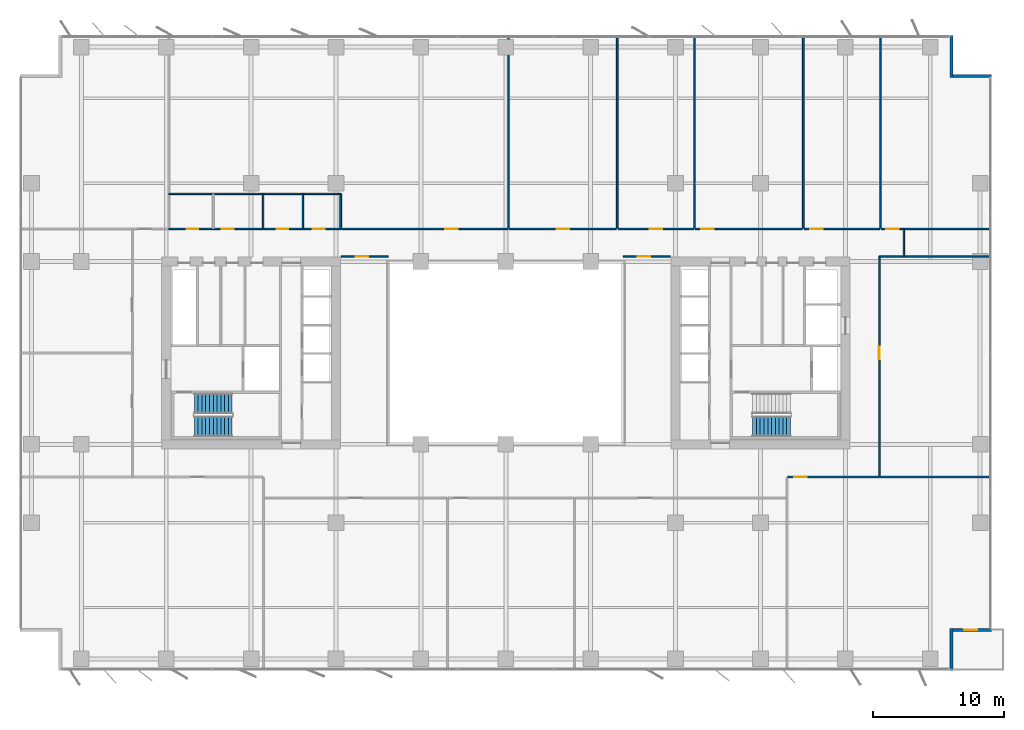
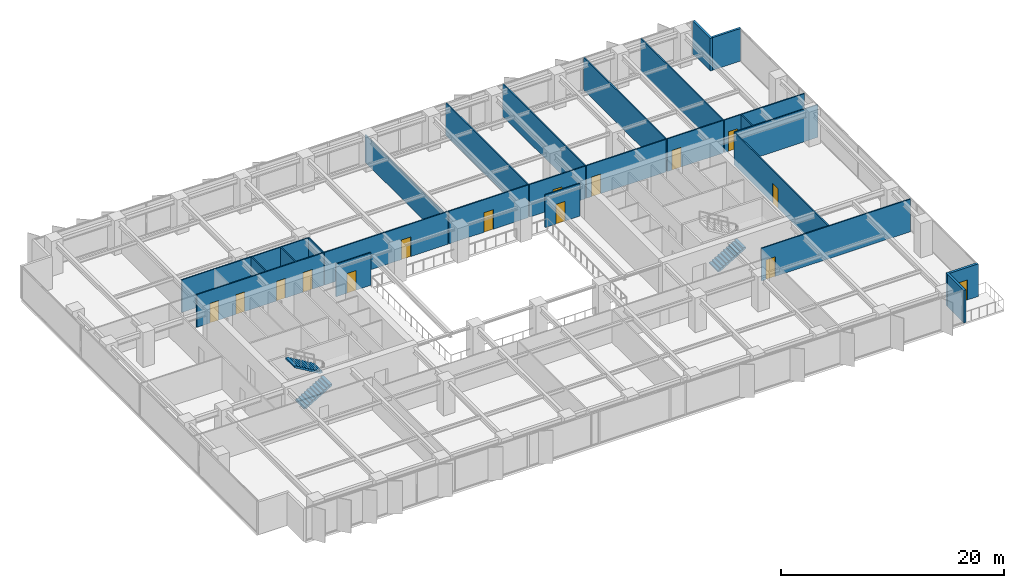
# One storey, part 15 of 20: 26 walls, 15 doors, 3 stair flights, 15 openings, 2 elements without a shape of their own.
"""IFC4 building model written with IfcOpenShell, lengths in metres."""

import ifcopenshell
import ifcopenshell.guid

model = None  # the IFC model being written
_history = None  # IfcOwnerHistory: only IFC2X3 demands one
_inside = {}  # id of a spatial element -> (the spatial element, [elements in it])
_under = {}  # id of a project, library or spatial element -> (it, [spatial elements below it])
_declared = {}  # id of a project -> (the project, [libraries it declares])
_typed = {}  # id of a type object -> (the type object, [elements of that type])
_made_of = {}  # id of a material, layer set ... -> (it, [elements and type objects made of it])


def new_model(schema):
    """Start an empty IFC model of exactly this schema.

    Asked for "IFC4X3", IfcOpenShell would pick the latest addendum, in which some entities
    have other attributes; the version numbers below select the first issue.
    IFC2X3 requires an IfcOwnerHistory on every rooted entity: one is made here for all.
    """
    global model, _history
    if schema == "IFC4X3":
        model = ifcopenshell.file(schema_version=(4, 3, 0, 0))
    else:
        model = ifcopenshell.file(schema=schema)
    _inside.clear()
    _under.clear()
    _declared.clear()
    _typed.clear()
    _made_of.clear()
    _history = None
    if model.schema == "IFC2X3":
        org = make("IfcOrganization", Name="unknown")
        user = make(
            "IfcPersonAndOrganization",
            ThePerson=make("IfcPerson", FamilyName="unknown"),
            TheOrganization=org,
        )
        app = make(
            "IfcApplication",
            ApplicationDeveloper=org,
            Version="unknown",
            ApplicationFullName="unknown",
            ApplicationIdentifier="unknown",
        )
        _history = make(
            "IfcOwnerHistory",
            OwningUser=user,
            OwningApplication=app,
            ChangeAction="ADDED",
            CreationDate=0,
        )
    return model


def make(cls, **values):
    """One entity of the class cls with the attributes given. An attribute that is None is left unset."""
    return model.create_entity(
        cls, **{name: value for name, value in values.items() if value is not None}
    )


def rooted(cls, **values):
    """An entity with a GlobalId (a new one), such as an element, a storey or a relation."""
    return make(cls, GlobalId=ifcopenshell.guid.new(), OwnerHistory=_history, **values)


def si_unit(unit_type, name, prefix=None):
    """IfcSIUnit, for example si_unit("LENGTHUNIT", "METRE", prefix="MILLI")."""
    return make("IfcSIUnit", UnitType=unit_type, Prefix=prefix, Name=name)


def assignment(units):
    """IfcUnitAssignment: the units of a project."""
    return None if units is None else make("IfcUnitAssignment", Units=units)


def point(xyz):
    """IfcCartesianPoint."""
    return None if xyz is None else make("IfcCartesianPoint", Coordinates=xyz)


def direction(xyz):
    """IfcDirection."""
    return None if xyz is None else make("IfcDirection", DirectionRatios=xyz)


def frame(location, z_axis=None, x_axis=None):
    """IfcAxis2Placement3D, a coordinate frame: its origin and axes. An axis left out is left unset."""
    return make(
        "IfcAxis2Placement3D",
        Location=point(location),
        Axis=direction(z_axis),
        RefDirection=direction(x_axis),
    )


def frame_2d(location, x_axis=None):
    """IfcAxis2Placement2D, a coordinate frame in the plane: its origin and x axis."""
    return make(
        "IfcAxis2Placement2D", Location=point(location), RefDirection=direction(x_axis)
    )


def origin():
    """The frame at (0, 0, 0) with its axes left unset."""
    return frame((0.0, 0.0, 0.0))


def place(relative_to, where):
    """IfcLocalPlacement: puts the frame where relative to a parent placement (None: the world)."""
    return make(
        "IfcLocalPlacement", PlacementRelTo=relative_to, RelativePlacement=where
    )


def context(
    kind, dimensions, precision=None, world=None, true_north=None, identifier=None
):
    """IfcGeometricRepresentationContext, for example the 3D "Model" context."""
    return make(
        "IfcGeometricRepresentationContext",
        ContextIdentifier=identifier,
        ContextType=kind,
        CoordinateSpaceDimension=dimensions,
        Precision=precision,
        WorldCoordinateSystem=world,
        TrueNorth=true_north,
    )


def subcontext(parent, identifier, kind, view, scale=None):
    """IfcGeometricRepresentationSubContext, for example "Body" below "Model"."""
    return make(
        "IfcGeometricRepresentationSubContext",
        ContextIdentifier=identifier,
        ContextType=kind,
        ParentContext=parent,
        TargetScale=scale,
        TargetView=view,
    )


def project(units=None, contexts=None):
    """IfcProject with its units and contexts."""
    return rooted(
        "IfcProject",
        Name="project",
        RepresentationContexts=contexts,
        UnitsInContext=assignment(units),
    )


def spatial(cls, under=None, at=None, **own):
    """A site, building, storey or space (cls), placed at a placement, below another one or the project."""
    s = rooted(cls, ObjectPlacement=at, **own)
    if under is not None:
        _under.setdefault(under.id(), (under, []))[1].append(s)
    return s


def polyline(points):
    """IfcPolyline through the points."""
    return make("IfcPolyline", Points=[point(p) for p in points])


def profile(cls, at=None, kind="AREA", **sizes):
    """A parametric profile (cls). Its sizes go by their IFC names, for example OverallWidth=200.0."""
    return make(cls, ProfileType=kind, Position=at, **sizes)


def rectangle(**sizes):
    """IfcRectangleProfileDef."""
    return profile("IfcRectangleProfileDef", **sizes)


def outline(outer, holes=None, kind="AREA"):
    """IfcArbitraryClosedProfileDef: a profile drawn as a closed curve; with holes, ...WithVoids."""
    if holes is None:
        return make("IfcArbitraryClosedProfileDef", ProfileType=kind, OuterCurve=outer)
    return make(
        "IfcArbitraryProfileDefWithVoids",
        ProfileType=kind,
        OuterCurve=outer,
        InnerCurves=holes,
    )


def extrude(swept, where, along, depth):
    """IfcExtrudedAreaSolid: the profile swept, set in the frame where, extruded along a direction by depth."""
    return make(
        "IfcExtrudedAreaSolid",
        SweptArea=swept,
        Position=where,
        ExtrudedDirection=direction(along),
        Depth=depth,
    )


def shape(context_of_items, identifier, shape_type, items):
    """IfcShapeRepresentation: the items that make up one representation, for example the "Body"."""
    return make(
        "IfcShapeRepresentation",
        ContextOfItems=context_of_items,
        RepresentationIdentifier=identifier,
        RepresentationType=shape_type,
        Items=items,
    )


def material(Name=None, Category=None):
    """IfcMaterial."""
    return make("IfcMaterial", Name=Name, Category=Category)


def layer(
    of_material, thickness, ventilated=None, Name=None, Category=None, Priority=None
):
    """IfcMaterialLayer: one layer of a wall or slab, of a material (None: an air gap)."""
    return make(
        "IfcMaterialLayer",
        Material=of_material,
        LayerThickness=thickness,
        IsVentilated=ventilated,
        Name=Name,
        Category=Category,
        Priority=Priority,
    )


def layer_set(layers, Name=None):
    """IfcMaterialLayerSet."""
    return make("IfcMaterialLayerSet", MaterialLayers=layers, LayerSetName=Name)


def made_of(thing, what):
    """Note that an element or type object is made of a material, layer set ...; save() writes the relation."""
    if what is not None:
        _made_of.setdefault(what.id(), (what, []))[1].append(thing)
    return thing


def type_object(cls, material=None, **own):
    """A type object (cls), such as IfcWallType, which elements share."""
    return made_of(rooted(cls, **own), material)


def element(
    cls,
    number,
    at=None,
    inside=None,
    cuts=None,
    type_object=None,
    material=None,
    context=None,
    identifier="Body",
    shape_type=None,
    held_by="IfcProductDefinitionShape",
    body=None,
    shapes=None,
    **own,
):
    """One element of the class cls, such as IfcWall. Its Tag is "e" and its number.

    at: its placement. inside: the storey or other place that contains it. cuts: it is an
    opening in that element (IfcRelVoidsElement). A single representation is given by context,
    identifier, shape_type and body (its items); several are given by shapes. held_by: the class
    of the entity that holds the representations. save() writes the other relations.
    """
    e = rooted(cls, Tag="e%d" % number, ObjectPlacement=at, **own)
    if body is not None:
        shapes = [shape(context, identifier, shape_type, body)]
    if shapes is not None:
        e.Representation = make(held_by, Representations=shapes)
    if inside is not None:
        _inside.setdefault(inside.id(), (inside, []))[1].append(e)
    if cuts is not None:
        rooted(
            "IfcRelVoidsElement", RelatingBuildingElement=cuts, RelatedOpeningElement=e
        )
    if type_object is not None:
        _typed.setdefault(type_object.id(), (type_object, []))[1].append(e)
    return made_of(e, material)


def fill(opening, filler):
    """IfcRelFillsElement: the door or window that sits in an opening."""
    return rooted(
        "IfcRelFillsElement",
        RelatingOpeningElement=opening,
        RelatedBuildingElement=filler,
    )


def aggregate(whole, parts):
    """IfcRelAggregates: a whole, such as a stair, and the parts it consists of."""
    return rooted("IfcRelAggregates", RelatingObject=whole, RelatedObjects=parts)


def save(model, path):
    """Write the relations noted so far, then the file.

    IfcRelAggregates (storeys below a building ...), IfcRelContainedInSpatialStructure (elements
    in a storey), IfcRelDefinesByType, IfcRelAssociatesMaterial and IfcRelDeclares: one each for
    every whole, place, type object, material and project.
    """
    for whole, parts in _under.values():
        aggregate(whole, parts)
    for where, things in _inside.values():
        rooted(
            "IfcRelContainedInSpatialStructure",
            RelatedElements=things,
            RelatingStructure=where,
        )
    for kind, things in _typed.values():
        rooted("IfcRelDefinesByType", RelatedObjects=things, RelatingType=kind)
    for what, things in _made_of.values():
        rooted("IfcRelAssociatesMaterial", RelatedObjects=things, RelatingMaterial=what)
    for by, libraries in _declared.values():
        rooted("IfcRelDeclares", RelatingContext=by, RelatedDefinitions=libraries)
    model.write(path)


model = new_model("IFC4")

# Units and contexts
model_context = context("Model", 3, precision=1e-05, world=origin(), true_north=direction((0.0, 1.0)))
body_context = subcontext(model_context, "Body", "Model", "MODEL_VIEW")
ifc_project = project(units=[si_unit("LENGTHUNIT", "METRE"), si_unit("AREAUNIT", "SQUARE_METRE"), si_unit("VOLUMEUNIT", "CUBIC_METRE"), si_unit("PLANEANGLEUNIT", "RADIAN"), si_unit("MASSUNIT", "GRAM", prefix="KILO")], contexts=[model_context])

# Site, building, storey
site_placement = place(None, origin())
site = spatial("IfcSite", under=ifc_project, at=site_placement, CompositionType="ELEMENT")
building_placement = place(site_placement, origin())
building = spatial("IfcBuilding", under=site, at=building_placement, Name="Putna Gate Headquarters", CompositionType="ELEMENT")
storey_placement = place(building_placement, frame((0.0, 0.0, 112.60009765625)))
storey = spatial("IfcBuildingStorey", under=building, at=storey_placement, Name="L27", CompositionType="ELEMENT", Elevation=112.60009765625)

# Walls
ifc_material_1 = material(Name="Precast concrete C40/50", Category="concrete")
ifc_layer_1 = layer(ifc_material_1, 0.239990234375)
ifc_layer_set_1 = layer_set([ifc_layer_1], Name="Precast concrete C40/50")
wall_type_1 = type_object("IfcWallType", Name="WALL-EXT-TERR-240", PredefinedType="STANDARD", material=ifc_layer_set_1)
for number, where, z_axis, x_axis, name in (
    (1, (73.1201171875, 50.300048828125, 0.0), (0.0, 0.0, 1.0), (0.0, -1.0, 0.0), "L27 Corner Notch Return Wall NE-V"),
    (2, (73.0, 47.219970703125, 0.0), (0.0, 0.0, 1.0), (1.0, 0.0, 0.0), "L27 Corner Notch Return Wall NE-H"),
    (3, (73.1201171875, 4.89990234375, 0.0), (0.0, 0.0, 1.0), (0.0, -1.0, 0.0), "L27 Corner Notch Return Wall SE-V"),
):
    element("IfcWall", number, at=place(storey_placement, frame(where, z_axis=z_axis, x_axis=x_axis)), inside=storey, type_object=wall_type_1, Name=name, PredefinedType="STANDARD", context=body_context, shape_type="SweptSolid", body=[
        extrude(rectangle(XDim=3.199951171875, YDim=0.239990234375, at=frame_2d((1.60009765625, 0.0))), origin(), (0.0, 0.0, 1.0), 3.56494140625),
    ])

# Wall, opening, door
wall_1_placement = place(storey_placement, frame((76.199951171875, 4.780029296875, 0.0), z_axis=(0.0, 0.0, 1.0), x_axis=(-1.0, 0.0, 0.0)))
wall_1 = element("IfcWall", 4, at=wall_1_placement, inside=storey, type_object=wall_type_1, Name="L27 Corner Notch Return Wall SE-H", PredefinedType="STANDARD", context=body_context, shape_type="SweptSolid", body=[
    extrude(rectangle(XDim=3.199951171875, YDim=0.239990234375, at=frame_2d((1.60009765625, 0.0))), origin(), (0.0, 0.0, 1.0), 3.56494140625),
])
opening_1_placement = place(wall_1_placement, frame((1.10009765625, 0.0, 0.0)))
opening_1 = element("IfcOpeningElement", 5, at=opening_1_placement, cuts=wall_1, Name="Opening TRD-1", PredefinedType="OPENING", context=body_context, shape_type="SweptSolid", body=[
    extrude(rectangle(XDim=1.0, YDim=2.199951171875, at=frame_2d((0.5, 1.10009765625))), frame((0.0, 0.1298828125, 0.0), z_axis=(0.0, -1.0, 0.0), x_axis=(1.0, 0.0, 0.0)), (0.0, 0.0, 1.0), 0.260009765625),
])
ifc_material_2 = material(Name="Thermally broken bronze glazed terrace door")
door_type_1 = type_object("IfcDoorType", Name="DOOR-TERR-EXT-1000", OperationType="NOTDEFINED", PredefinedType="DOOR", material=ifc_material_2)
door_1_placement = place(opening_1_placement, origin())
door_1 = element("IfcDoor", 6, at=door_1_placement, inside=storey, type_object=door_type_1, Name="L27 Spiral Sky Terrace Door SE", OperationType="SINGLE_SWING_RIGHT", OverallHeight=2.199951171875, OverallWidth=1.0, PredefinedType="DOOR", context=body_context, shape_type="SweptSolid", body=[
    extrude(rectangle(XDim=1.0, YDim=2.199951171875, at=frame_2d((0.5, 1.10009765625))), frame((0.0, 0.02490234375, 0.0), z_axis=(0.0, -1.0, 0.0), x_axis=(1.0, 0.0, 0.0)), (0.0, 0.0, 1.0), 0.050048828125),
])
fill(opening_1, door_1)

ifc_material_3 = material(Name="Acoustic gypsum board on metal stud")
ifc_layer_2 = layer(ifc_material_3, 0.1201171875)
ifc_layer_set_2 = layer_set([ifc_layer_2], Name="Acoustic gypsum board on metal stud")
wall_type_2 = type_object("IfcWallType", Name="WALL-PART-120", PredefinedType="PARTITIONING", material=ifc_layer_set_2)
wall_2_placement = place(storey_placement, frame((26.39990234375, 33.39990234375, 0.0), z_axis=(0.0, 0.0, 1.0), x_axis=(1.0, 0.0, 0.0)))
wall_2 = element("IfcWall", 7, at=wall_2_placement, inside=storey, type_object=wall_type_2, Name="L27 Interior Wall PART-L27-ATR-W-N", PredefinedType="PARTITIONING", context=body_context, shape_type="SweptSolid", body=[
    extrude(rectangle(XDim=3.60009765625, YDim=0.1201171875, at=frame_2d((1.800048828125, 0.0))), origin(), (0.0, 0.0, 1.0), 3.56494140625),
])
opening_2_placement = place(wall_2_placement, frame((1.10009765625, 0.0, 0.0)))
opening_2 = element("IfcOpeningElement", 8, at=opening_2_placement, cuts=wall_2, Name="Opening ID-95", PredefinedType="OPENING", context=body_context, shape_type="SweptSolid", body=[
    extrude(rectangle(XDim=0.949951171875, YDim=2.14990234375, at=frame_2d((0.47509765625, 1.074951171875))), frame((0.0, 0.070068359375, 0.0), z_axis=(0.0, -1.0, 0.0), x_axis=(1.0, 0.0, 0.0)), (0.0, 0.0, 1.0), 0.14013671875),
])
ifc_material_4 = material(Name="Veneered acoustic timber door", Category="wood")
door_type_2 = type_object("IfcDoorType", Name="DOOR-OFF-950", OperationType="NOTDEFINED", PredefinedType="DOOR", material=ifc_material_4)
door_2_placement = place(opening_2_placement, origin())
door_2 = element("IfcDoor", 9, at=door_2_placement, inside=storey, type_object=door_type_2, Name="L27 West Atrium Lounge Door", OperationType="SINGLE_SWING_LEFT", OverallHeight=2.14990234375, OverallWidth=0.949951171875, PredefinedType="DOOR", context=body_context, shape_type="SweptSolid", body=[
    extrude(rectangle(XDim=0.949951171875, YDim=2.14990234375, at=frame_2d((0.47509765625, 1.074951171875))), frame((0.0, 0.02490234375, 0.0), z_axis=(0.0, -1.0, 0.0), x_axis=(1.0, 0.0, 0.0)), (0.0, 0.0, 1.0), 0.050048828125),
])
fill(opening_2, door_2)

wall_3_placement = place(storey_placement, frame((48.0, 33.39990234375, 0.0), z_axis=(0.0, 0.0, 1.0), x_axis=(1.0, 0.0, 0.0)))
wall_3 = element("IfcWall", 10, at=wall_3_placement, inside=storey, type_object=wall_type_2, Name="L27 Interior Wall PART-L27-ATR-E-N", PredefinedType="PARTITIONING", context=body_context, shape_type="SweptSolid", body=[
    extrude(rectangle(XDim=3.60009765625, YDim=0.1201171875, at=frame_2d((1.800048828125, 0.0))), origin(), (0.0, 0.0, 1.0), 3.56494140625),
])
opening_3_placement = place(wall_3_placement, frame((1.10009765625, 0.0, 0.0)))
opening_3 = element("IfcOpeningElement", 11, at=opening_3_placement, cuts=wall_3, Name="Opening ID-95", PredefinedType="OPENING", context=body_context, shape_type="SweptSolid", body=[
    extrude(rectangle(XDim=0.949951171875, YDim=2.14990234375, at=frame_2d((0.47509765625, 1.074951171875))), frame((0.0, 0.070068359375, 0.0), z_axis=(0.0, -1.0, 0.0), x_axis=(1.0, 0.0, 0.0)), (0.0, 0.0, 1.0), 0.14013671875),
])
door_3_placement = place(opening_3_placement, origin())
door_3 = element("IfcDoor", 12, at=door_3_placement, inside=storey, type_object=door_type_2, Name="L27 East Atrium Lounge Door", OperationType="SINGLE_SWING_RIGHT", OverallHeight=2.14990234375, OverallWidth=0.949951171875, PredefinedType="DOOR", context=body_context, shape_type="SweptSolid", body=[
    extrude(rectangle(XDim=0.949951171875, YDim=2.14990234375, at=frame_2d((0.47509765625, 1.074951171875))), frame((0.0, 0.02490234375, 0.0), z_axis=(0.0, -1.0, 0.0), x_axis=(1.0, 0.0, 0.0)), (0.0, 0.0, 1.0), 0.050048828125),
])
fill(opening_3, door_3)

# Walls
wall_4_placement = place(storey_placement, frame((39.199951171875, 35.56005859375, 0.0), z_axis=(0.0, 0.0, 1.0), x_axis=(0.0, 1.0, 0.0)))
element("IfcWall", 13, at=wall_4_placement, inside=storey, type_object=wall_type_2, Name="L27 Interior Wall PART-L27-NB-DIV-02", PredefinedType="PARTITIONING", context=body_context, shape_type="SweptSolid", body=[
    extrude(rectangle(XDim=14.719970703125, YDim=0.1201171875, at=frame_2d((7.35986328125, 0.0))), origin(), (0.0, 0.0, 1.0), 2.96484375),
])
for number, where, z_axis, x_axis, name in (
    (14, (47.53662109375, 35.56005859375, 0.0), (0.0, 0.0, 1.0), (0.0, 1.0, 0.0), "L27 Interior Wall PART-L27-NB-DIV-03"),
    (15, (53.441650390625, 35.56005859375, 0.0), (0.0, 0.0, 1.0), (0.0, 1.0, 0.0), "L27 Interior Wall PART-L27-NB-DIV-04"),
    (16, (61.7783203125, 35.56005859375, 0.0), (0.0, 0.0, 1.0), (0.0, 1.0, 0.0), "L27 Interior Wall PART-L27-NB-DIV-05"),
    (17, (67.683349609375, 35.56005859375, 0.0), (0.0, 0.0, 1.0), (0.0, 1.0, 0.0), "L27 Interior Wall PART-L27-NB-DIV-06"),
):
    element("IfcWall", number, at=place(storey_placement, frame(where, z_axis=z_axis, x_axis=x_axis)), inside=storey, type_object=wall_type_2, Name=name, PredefinedType="PARTITIONING", context=body_context, shape_type="SweptSolid", body=[
        extrude(rectangle(XDim=14.719970703125, YDim=0.1201171875, at=frame_2d((7.35986328125, 0.0))), origin(), (0.0, 0.0, 1.0), 3.56494140625),
    ])
ifc_material_5 = material(Name="Fire-rated gypsum board on metal stud")
ifc_layer_3 = layer(ifc_material_5, 0.1201171875)
ifc_layer_set_3 = layer_set([ifc_layer_3], Name="Fire-rated gypsum board on metal stud")
wall_type_3 = type_object("IfcWallType", Name="WALL-PART-120-RATED", PredefinedType="PARTITIONING", material=ifc_layer_set_3)
wall_5_placement = place(storey_placement, frame((69.4833984375, 33.39990234375, 0.0), z_axis=(0.0, 0.0, 1.0), x_axis=(0.0, 1.0, 0.0)))
element("IfcWall", 18, at=wall_5_placement, inside=storey, type_object=wall_type_3, Name="L27 Interior Wall PART-L27-CORRN-CAPE", PredefinedType="PARTITIONING", context=body_context, shape_type="SweptSolid", body=[
    extrude(rectangle(XDim=2.10009765625, YDim=0.1201171875, at=frame_2d((1.050048828125, 0.0))), origin(), (0.0, 0.0, 1.0), 3.56494140625),
])

# Wall, openings, doors
wall_6_placement = place(storey_placement, frame((13.199951171875, 35.5, 0.0), z_axis=(0.0, 0.0, 1.0), x_axis=(1.0, 0.0, 0.0)))
wall_6 = element("IfcWall", 19, at=wall_6_placement, inside=storey, type_object=wall_type_3, Name="L27 Interior Wall PART-L27-SAN-CW", PredefinedType="PARTITIONING", context=body_context, shape_type="SweptSolid", body=[
    extrude(rectangle(XDim=13.16015625, YDim=0.1201171875, at=frame_2d((6.580078125, 0.0))), origin(), (0.0, 0.0, 1.0), 3.56494140625),
])
opening_4_placement = place(wall_6_placement, frame((1.35009765625, 0.0, 0.0)))
opening_4 = element("IfcOpeningElement", 20, at=opening_4_placement, cuts=wall_6, Name="Opening FD-90", PredefinedType="OPENING", context=body_context, shape_type="SweptSolid", body=[
    extrude(rectangle(XDim=0.89990234375, YDim=2.14990234375, at=frame_2d((0.449951171875, 1.074951171875))), frame((0.0, 0.070068359375, 0.0), z_axis=(0.0, -1.0, 0.0), x_axis=(1.0, 0.0, 0.0)), (0.0, 0.0, 1.0), 0.14013671875),
])
opening_5_placement = place(wall_6_placement, frame((4.050048828125, 0.0, 0.0)))
opening_5 = element("IfcOpeningElement", 21, at=opening_5_placement, cuts=wall_6, Name="Opening FD-90", PredefinedType="OPENING", context=body_context, shape_type="SweptSolid", body=[
    extrude(rectangle(XDim=0.89990234375, YDim=2.14990234375, at=frame_2d((0.449951171875, 1.074951171875))), frame((0.0, 0.070068359375, 0.0), z_axis=(0.0, -1.0, 0.0), x_axis=(1.0, 0.0, 0.0)), (0.0, 0.0, 1.0), 0.14013671875),
])
opening_6_placement = place(wall_6_placement, frame((8.25, 0.0, 0.0)))
opening_6 = element("IfcOpeningElement", 22, at=opening_6_placement, cuts=wall_6, Name="Opening FD-90", PredefinedType="OPENING", context=body_context, shape_type="SweptSolid", body=[
    extrude(rectangle(XDim=0.89990234375, YDim=2.14990234375, at=frame_2d((0.449951171875, 1.074951171875))), frame((0.0, 0.070068359375, 0.0), z_axis=(0.0, -1.0, 0.0), x_axis=(1.0, 0.0, 0.0)), (0.0, 0.0, 1.0), 0.14013671875),
])
opening_7_placement = place(wall_6_placement, frame((11.0, 0.0, 0.0)))
opening_7 = element("IfcOpeningElement", 23, at=opening_7_placement, cuts=wall_6, Name="Opening FD-95", PredefinedType="OPENING", context=body_context, shape_type="SweptSolid", body=[
    extrude(rectangle(XDim=0.949951171875, YDim=2.14990234375, at=frame_2d((0.47509765625, 1.074951171875))), frame((0.0, 0.070068359375, 0.0), z_axis=(0.0, -1.0, 0.0), x_axis=(1.0, 0.0, 0.0)), (0.0, 0.0, 1.0), 0.14013671875),
])
ifc_material_6 = material(Name="Acoustic washroom fire door")
door_type_3 = type_object("IfcDoorType", Name="DOOR-FIRE-900", OperationType="NOTDEFINED", PredefinedType="DOOR", material=ifc_material_6)
door_4_placement = place(opening_4_placement, origin())
door_4 = element("IfcDoor", 24, at=door_4_placement, inside=storey, type_object=door_type_3, Name="L27 Washroom Male Door", OperationType="SINGLE_SWING_LEFT", OverallHeight=2.14990234375, OverallWidth=0.89990234375, PredefinedType="DOOR", context=body_context, shape_type="SweptSolid", body=[
    extrude(rectangle(XDim=0.89990234375, YDim=2.14990234375, at=frame_2d((0.449951171875, 1.074951171875))), frame((0.0, 0.02490234375, 0.0), z_axis=(0.0, -1.0, 0.0), x_axis=(1.0, 0.0, 0.0)), (0.0, 0.0, 1.0), 0.050048828125),
])
fill(opening_4, door_4)
door_5_placement = place(opening_5_placement, origin())
door_5 = element("IfcDoor", 25, at=door_5_placement, inside=storey, type_object=door_type_3, Name="L27 Washroom Female Door", OperationType="SINGLE_SWING_RIGHT", OverallHeight=2.14990234375, OverallWidth=0.89990234375, PredefinedType="DOOR", context=body_context, shape_type="SweptSolid", body=[
    extrude(rectangle(XDim=0.89990234375, YDim=2.14990234375, at=frame_2d((0.449951171875, 1.074951171875))), frame((0.0, 0.02490234375, 0.0), z_axis=(0.0, -1.0, 0.0), x_axis=(1.0, 0.0, 0.0)), (0.0, 0.0, 1.0), 0.050048828125),
])
fill(opening_5, door_5)
door_6_placement = place(opening_6_placement, origin())
door_6 = element("IfcDoor", 26, at=door_6_placement, inside=storey, type_object=door_type_3, Name="L27 Accessible WC Door", OperationType="SINGLE_SWING_LEFT", OverallHeight=2.14990234375, OverallWidth=0.89990234375, PredefinedType="DOOR", context=body_context, shape_type="SweptSolid", body=[
    extrude(rectangle(XDim=0.89990234375, YDim=2.14990234375, at=frame_2d((0.449951171875, 1.074951171875))), frame((0.0, 0.02490234375, 0.0), z_axis=(0.0, -1.0, 0.0), x_axis=(1.0, 0.0, 0.0)), (0.0, 0.0, 1.0), 0.050048828125),
])
fill(opening_6, door_6)
ifc_material_7 = material(Name="Acoustic timber fire door", Category="wood")
door_type_4 = type_object("IfcDoorType", Name="DOOR-FIRE-950", OperationType="NOTDEFINED", PredefinedType="DOOR", material=ifc_material_7)
door_7_placement = place(opening_7_placement, origin())
door_7 = element("IfcDoor", 27, at=door_7_placement, inside=storey, type_object=door_type_4, Name="L27 Staff Pantry and Tea Point Door", OperationType="SINGLE_SWING_RIGHT", OverallHeight=2.14990234375, OverallWidth=0.949951171875, PredefinedType="DOOR", context=body_context, shape_type="SweptSolid", body=[
    extrude(rectangle(XDim=0.949951171875, YDim=2.14990234375, at=frame_2d((0.47509765625, 1.074951171875))), frame((0.0, 0.02490234375, 0.0), z_axis=(0.0, -1.0, 0.0), x_axis=(1.0, 0.0, 0.0)), (0.0, 0.0, 1.0), 0.050048828125),
])
fill(opening_7, door_7)

# Walls
wall_7_placement = place(storey_placement, frame((13.199951171875, 38.179931640625, 0.0), z_axis=(0.0, 0.0, 1.0), x_axis=(1.0, 0.0, 0.0)))
element("IfcWall", 28, at=wall_7_placement, inside=storey, type_object=wall_type_3, Name="L27 Interior Wall PART-L27-SAN-BACK", PredefinedType="PARTITIONING", context=body_context, shape_type="SweptSolid", body=[
    extrude(rectangle(XDim=13.16015625, YDim=0.1201171875, at=frame_2d((6.580078125, 0.0))), origin(), (0.0, 0.0, 1.0), 3.56494140625),
])
for number, where, z_axis, x_axis, name in (
    (29, (20.419921875, 35.5, 0.0), (0.0, 0.0, 1.0), (0.0, 1.0, 0.0), "L27 Interior Wall PART-L27-SAN-DIV-2"),
    (30, (23.4599609375, 35.5, 0.0), (0.0, 0.0, 1.0), (0.0, 1.0, 0.0), "L27 Interior Wall PART-L27-SAN-DIV-3"),
    (31, (26.360107421875, 35.5, 0.0), (0.0, 0.0, 1.0), (0.0, 1.0, 0.0), "L27 Interior Wall PART-L27-SAN-DIV-4"),
):
    element("IfcWall", number, at=place(storey_placement, frame(where, z_axis=z_axis, x_axis=x_axis)), inside=storey, type_object=wall_type_3, Name=name, PredefinedType="PARTITIONING", context=body_context, shape_type="SweptSolid", body=[
        extrude(rectangle(XDim=2.679931640625, YDim=0.1201171875, at=frame_2d((1.33984375, 0.0))), origin(), (0.0, 0.0, 1.0), 3.56494140625),
    ])

# Wall, opening, door
wall_8_placement = place(storey_placement, frame((26.419921875, 35.5, 0.0), z_axis=(0.0, 0.0, 1.0), x_axis=(1.0, 0.0, 0.0)))
wall_8 = element("IfcWall", 32, at=wall_8_placement, inside=storey, type_object=wall_type_3, Name="L27 Interior Wall PART-L27-NB-CW-02", PredefinedType="PARTITIONING", context=body_context, shape_type="SweptSolid", body=[
    extrude(rectangle(XDim=12.719970703125, YDim=0.1201171875, at=frame_2d((6.35986328125, 0.0))), origin(), (0.0, 0.0, 1.0), 3.56494140625),
])
opening_8_placement = place(wall_8_placement, frame((7.9541015625, 0.0, 0.0)))
opening_8 = element("IfcOpeningElement", 33, at=opening_8_placement, cuts=wall_8, Name="Opening FD-95", PredefinedType="OPENING", context=body_context, shape_type="SweptSolid", body=[
    extrude(rectangle(XDim=0.949951171875, YDim=2.14990234375, at=frame_2d((0.47509765625, 1.074951171875))), frame((0.0, 0.070068359375, 0.0), z_axis=(0.0, -1.0, 0.0), x_axis=(1.0, 0.0, 0.0)), (0.0, 0.0, 1.0), 0.14013671875),
])
door_8_placement = place(opening_8_placement, origin())
door_8 = element("IfcDoor", 34, at=door_8_placement, inside=storey, type_object=door_type_4, Name="L27 Primary Open Office Workplace Door", OperationType="SINGLE_SWING_RIGHT", OverallHeight=2.14990234375, OverallWidth=0.949951171875, PredefinedType="DOOR", context=body_context, shape_type="SweptSolid", body=[
    extrude(rectangle(XDim=0.949951171875, YDim=2.14990234375, at=frame_2d((0.47509765625, 1.074951171875))), frame((0.0, 0.02490234375, 0.0), z_axis=(0.0, -1.0, 0.0), x_axis=(1.0, 0.0, 0.0)), (0.0, 0.0, 1.0), 0.050048828125),
])
fill(opening_8, door_8)

wall_9_placement = place(storey_placement, frame((39.260009765625, 35.5, 0.0), z_axis=(0.0, 0.0, 1.0), x_axis=(1.0, 0.0, 0.0)))
wall_9 = element("IfcWall", 35, at=wall_9_placement, inside=storey, type_object=wall_type_3, Name="L27 Interior Wall PART-L27-NB-CW-03", PredefinedType="PARTITIONING", context=body_context, shape_type="SweptSolid", body=[
    extrude(rectangle(XDim=8.216552734375, YDim=0.1201171875, at=frame_2d((4.1083984375, 0.0))), origin(), (0.0, 0.0, 1.0), 3.56494140625),
])
opening_9_placement = place(wall_9_placement, frame((3.63330078125, 0.0, 0.0)))
opening_9 = element("IfcOpeningElement", 36, at=opening_9_placement, cuts=wall_9, Name="Opening FD-95", PredefinedType="OPENING", context=body_context, shape_type="SweptSolid", body=[
    extrude(rectangle(XDim=0.949951171875, YDim=2.14990234375, at=frame_2d((0.47509765625, 1.074951171875))), frame((0.0, 0.070068359375, 0.0), z_axis=(0.0, -1.0, 0.0), x_axis=(1.0, 0.0, 0.0)), (0.0, 0.0, 1.0), 0.14013671875),
])
door_9_placement = place(opening_9_placement, origin())
door_9 = element("IfcDoor", 37, at=door_9_placement, inside=storey, type_object=door_type_4, Name="L27 Cellular Office 4 Door", OperationType="SINGLE_SWING_LEFT", OverallHeight=2.14990234375, OverallWidth=0.949951171875, PredefinedType="DOOR", context=body_context, shape_type="SweptSolid", body=[
    extrude(rectangle(XDim=0.949951171875, YDim=2.14990234375, at=frame_2d((0.47509765625, 1.074951171875))), frame((0.0, 0.02490234375, 0.0), z_axis=(0.0, -1.0, 0.0), x_axis=(1.0, 0.0, 0.0)), (0.0, 0.0, 1.0), 0.050048828125),
])
fill(opening_9, door_9)

wall_10_placement = place(storey_placement, frame((47.5966796875, 35.5, 0.0), z_axis=(0.0, 0.0, 1.0), x_axis=(1.0, 0.0, 0.0)))
wall_10 = element("IfcWall", 38, at=wall_10_placement, inside=storey, type_object=wall_type_3, Name="L27 Interior Wall PART-L27-NB-CW-04", PredefinedType="PARTITIONING", context=body_context, shape_type="SweptSolid", body=[
    extrude(rectangle(XDim=5.784912109375, YDim=0.1201171875, at=frame_2d((2.892578125, 0.0))), origin(), (0.0, 0.0, 1.0), 3.56494140625),
])
opening_10_placement = place(wall_10_placement, frame((2.41748046875, 0.0, 0.0)))
opening_10 = element("IfcOpeningElement", 39, at=opening_10_placement, cuts=wall_10, Name="Opening FD-95", PredefinedType="OPENING", context=body_context, shape_type="SweptSolid", body=[
    extrude(rectangle(XDim=0.949951171875, YDim=2.14990234375, at=frame_2d((0.47509765625, 1.074951171875))), frame((0.0, 0.070068359375, 0.0), z_axis=(0.0, -1.0, 0.0), x_axis=(1.0, 0.0, 0.0)), (0.0, 0.0, 1.0), 0.14013671875),
])
door_10_placement = place(opening_10_placement, origin())
door_10 = element("IfcDoor", 40, at=door_10_placement, inside=storey, type_object=door_type_4, Name="L27 Conference Meeting Room 1 Door", OperationType="SINGLE_SWING_RIGHT", OverallHeight=2.14990234375, OverallWidth=0.949951171875, PredefinedType="DOOR", context=body_context, shape_type="SweptSolid", body=[
    extrude(rectangle(XDim=0.949951171875, YDim=2.14990234375, at=frame_2d((0.47509765625, 1.074951171875))), frame((0.0, 0.02490234375, 0.0), z_axis=(0.0, -1.0, 0.0), x_axis=(1.0, 0.0, 0.0)), (0.0, 0.0, 1.0), 0.050048828125),
])
fill(opening_10, door_10)

wall_11_placement = place(storey_placement, frame((53.501708984375, 35.5, 0.0), z_axis=(0.0, 0.0, 1.0), x_axis=(1.0, 0.0, 0.0)))
wall_11 = element("IfcWall", 41, at=wall_11_placement, inside=storey, type_object=wall_type_3, Name="L27 Interior Wall PART-L27-NB-CW-05", PredefinedType="PARTITIONING", context=body_context, shape_type="SweptSolid", body=[
    extrude(rectangle(XDim=8.216552734375, YDim=0.1201171875, at=frame_2d((4.1083984375, 0.0))), origin(), (0.0, 0.0, 1.0), 3.56494140625),
])
opening_11_placement = place(wall_11_placement, frame((0.47998046875, 0.0, 0.0)))
opening_11 = element("IfcOpeningElement", 42, at=opening_11_placement, cuts=wall_11, Name="Opening FD-95", PredefinedType="OPENING", context=body_context, shape_type="SweptSolid", body=[
    extrude(rectangle(XDim=0.949951171875, YDim=2.14990234375, at=frame_2d((0.47509765625, 1.074951171875))), frame((0.0, 0.070068359375, 0.0), z_axis=(0.0, -1.0, 0.0), x_axis=(1.0, 0.0, 0.0)), (0.0, 0.0, 1.0), 0.14013671875),
])
door_11_placement = place(opening_11_placement, origin())
door_11 = element("IfcDoor", 43, at=door_11_placement, inside=storey, type_object=door_type_4, Name="L27 Conference Meeting Room 2 Door", OperationType="SINGLE_SWING_LEFT", OverallHeight=2.14990234375, OverallWidth=0.949951171875, PredefinedType="DOOR", context=body_context, shape_type="SweptSolid", body=[
    extrude(rectangle(XDim=0.949951171875, YDim=2.14990234375, at=frame_2d((0.47509765625, 1.074951171875))), frame((0.0, 0.02490234375, 0.0), z_axis=(0.0, -1.0, 0.0), x_axis=(1.0, 0.0, 0.0)), (0.0, 0.0, 1.0), 0.050048828125),
])
fill(opening_11, door_11)

wall_12_placement = place(storey_placement, frame((61.83837890625, 35.5, 0.0), z_axis=(0.0, 0.0, 1.0), x_axis=(1.0, 0.0, 0.0)))
wall_12 = element("IfcWall", 44, at=wall_12_placement, inside=storey, type_object=wall_type_3, Name="L27 Interior Wall PART-L27-NB-CW-06", PredefinedType="PARTITIONING", context=body_context, shape_type="SweptSolid", body=[
    extrude(rectangle(XDim=5.784912109375, YDim=0.1201171875, at=frame_2d((2.892578125, 0.0))), origin(), (0.0, 0.0, 1.0), 3.56494140625),
])
opening_12_placement = place(wall_12_placement, frame((0.47998046875, 0.0, 0.0)))
opening_12 = element("IfcOpeningElement", 45, at=opening_12_placement, cuts=wall_12, Name="Opening FD-95", PredefinedType="OPENING", context=body_context, shape_type="SweptSolid", body=[
    extrude(rectangle(XDim=0.949951171875, YDim=2.14990234375, at=frame_2d((0.47509765625, 1.074951171875))), frame((0.0, 0.070068359375, 0.0), z_axis=(0.0, -1.0, 0.0), x_axis=(1.0, 0.0, 0.0)), (0.0, 0.0, 1.0), 0.14013671875),
])
door_12_placement = place(opening_12_placement, origin())
door_12 = element("IfcDoor", 46, at=door_12_placement, inside=storey, type_object=door_type_4, Name="L27 Conference Meeting Room 3 Door", OperationType="SINGLE_SWING_RIGHT", OverallHeight=2.14990234375, OverallWidth=0.949951171875, PredefinedType="DOOR", context=body_context, shape_type="SweptSolid", body=[
    extrude(rectangle(XDim=0.949951171875, YDim=2.14990234375, at=frame_2d((0.47509765625, 1.074951171875))), frame((0.0, 0.02490234375, 0.0), z_axis=(0.0, -1.0, 0.0), x_axis=(1.0, 0.0, 0.0)), (0.0, 0.0, 1.0), 0.050048828125),
])
fill(opening_12, door_12)

wall_13_placement = place(storey_placement, frame((67.743408203125, 35.5, 0.0), z_axis=(0.0, 0.0, 1.0), x_axis=(1.0, 0.0, 0.0)))
wall_13 = element("IfcWall", 47, at=wall_13_placement, inside=storey, type_object=wall_type_3, Name="L27 Interior Wall PART-L27-NB-CW-07", PredefinedType="PARTITIONING", context=body_context, shape_type="SweptSolid", body=[
    extrude(rectangle(XDim=8.276611328125, YDim=0.1201171875, at=frame_2d((4.13818359375, 0.0))), origin(), (0.0, 0.0, 1.0), 3.56494140625),
])
opening_13_placement = place(wall_13_placement, frame((0.39501953125, 0.0, 0.0)))
opening_13 = element("IfcOpeningElement", 48, at=opening_13_placement, cuts=wall_13, Name="Opening FD-95", PredefinedType="OPENING", context=body_context, shape_type="SweptSolid", body=[
    extrude(rectangle(XDim=0.949951171875, YDim=2.14990234375, at=frame_2d((0.47509765625, 1.074951171875))), frame((0.0, 0.070068359375, 0.0), z_axis=(0.0, -1.0, 0.0), x_axis=(1.0, 0.0, 0.0)), (0.0, 0.0, 1.0), 0.14013671875),
])
door_13_placement = place(opening_13_placement, origin())
door_13 = element("IfcDoor", 49, at=door_13_placement, inside=storey, type_object=door_type_4, Name="L27 Cellular Office 1 Door", OperationType="SINGLE_SWING_LEFT", OverallHeight=2.14990234375, OverallWidth=0.949951171875, PredefinedType="DOOR", context=body_context, shape_type="SweptSolid", body=[
    extrude(rectangle(XDim=0.949951171875, YDim=2.14990234375, at=frame_2d((0.47509765625, 1.074951171875))), frame((0.0, 0.02490234375, 0.0), z_axis=(0.0, -1.0, 0.0), x_axis=(1.0, 0.0, 0.0)), (0.0, 0.0, 1.0), 0.050048828125),
])
fill(opening_13, door_13)

wall_14_placement = place(storey_placement, frame((60.605712890625, 16.5, 0.0), z_axis=(0.0, 0.0, 1.0), x_axis=(1.0, 0.0, 0.0)))
wall_14 = element("IfcWall", 50, at=wall_14_placement, inside=storey, type_object=wall_type_3, Name="L27 Interior Wall PART-L27-SB-CW-05", PredefinedType="PARTITIONING", context=body_context, shape_type="SweptSolid", body=[
    extrude(rectangle(XDim=15.414306640625, YDim=0.1201171875, at=frame_2d((7.70703125, 0.0))), origin(), (0.0, 0.0, 1.0), 3.56494140625),
])
opening_14_placement = place(wall_14_placement, frame((0.47998046875, 0.0, 0.0)))
opening_14 = element("IfcOpeningElement", 51, at=opening_14_placement, cuts=wall_14, Name="Opening FD-95", PredefinedType="OPENING", context=body_context, shape_type="SweptSolid", body=[
    extrude(rectangle(XDim=0.949951171875, YDim=2.14990234375, at=frame_2d((0.47509765625, 1.074951171875))), frame((0.0, 0.070068359375, 0.0), z_axis=(0.0, -1.0, 0.0), x_axis=(1.0, 0.0, 0.0)), (0.0, 0.0, 1.0), 0.14013671875),
])
door_14_placement = place(opening_14_placement, origin())
door_14 = element("IfcDoor", 52, at=door_14_placement, inside=storey, type_object=door_type_4, Name="L27 Cellular Office 3 Door", OperationType="SINGLE_SWING_RIGHT", OverallHeight=2.14990234375, OverallWidth=0.949951171875, PredefinedType="DOOR", context=body_context, shape_type="SweptSolid", body=[
    extrude(rectangle(XDim=0.949951171875, YDim=2.14990234375, at=frame_2d((0.47509765625, 1.074951171875))), frame((0.0, 0.02490234375, 0.0), z_axis=(0.0, -1.0, 0.0), x_axis=(1.0, 0.0, 0.0)), (0.0, 0.0, 1.0), 0.050048828125),
])
fill(opening_14, door_14)

# Wall
wall_15_placement = place(storey_placement, frame((67.60009765625, 33.39990234375, 0.0), z_axis=(0.0, 0.0, 1.0), x_axis=(1.0, 0.0, 0.0)))
element("IfcWall", 53, at=wall_15_placement, inside=storey, type_object=wall_type_3, Name="L27 Interior Wall PART-L27-EW-N-BOUND", PredefinedType="PARTITIONING", context=body_context, shape_type="SweptSolid", body=[
    extrude(rectangle(XDim=8.579833984375, YDim=0.1201171875, at=frame_2d((4.2900390625, 0.0))), origin(), (0.0, 0.0, 1.0), 3.56494140625),
])

# Wall, opening, door
wall_16_placement = place(storey_placement, frame((67.60009765625, 16.5, 0.0), z_axis=(0.0, 0.0, 1.0), x_axis=(0.0, 1.0, 0.0)))
wall_16 = element("IfcWall", 54, at=wall_16_placement, inside=storey, type_object=wall_type_3, Name="L27 Interior Wall PART-L27-EW-CW-1", PredefinedType="PARTITIONING", context=body_context, shape_type="SweptSolid", body=[
    extrude(rectangle(XDim=16.89990234375, YDim=0.1201171875, at=frame_2d((8.449951171875, 0.0))), origin(), (0.0, 0.0, 1.0), 3.56494140625),
])
opening_15_placement = place(wall_16_placement, frame((9.02490234375, 0.0, 0.0)))
opening_15 = element("IfcOpeningElement", 55, at=opening_15_placement, cuts=wall_16, Name="Opening FD-95", PredefinedType="OPENING", context=body_context, shape_type="SweptSolid", body=[
    extrude(rectangle(XDim=0.949951171875, YDim=2.14990234375, at=frame_2d((0.47509765625, 1.074951171875))), frame((0.0, 0.070068359375, 0.0), z_axis=(0.0, -1.0, 0.0), x_axis=(1.0, 0.0, 0.0)), (0.0, 0.0, 1.0), 0.14013671875),
])
door_15_placement = place(opening_15_placement, origin())
door_15 = element("IfcDoor", 56, at=door_15_placement, inside=storey, type_object=door_type_4, Name="L27 East Horizon Conference Room 1 Door", OperationType="SINGLE_SWING_LEFT", OverallHeight=2.14990234375, OverallWidth=0.949951171875, PredefinedType="DOOR", context=body_context, shape_type="SweptSolid", body=[
    extrude(rectangle(XDim=0.949951171875, YDim=2.14990234375, at=frame_2d((0.47509765625, 1.074951171875))), frame((0.0, 0.02490234375, 0.0), z_axis=(0.0, -1.0, 0.0), x_axis=(1.0, 0.0, 0.0)), (0.0, 0.0, 1.0), 0.050048828125),
])
fill(opening_15, door_15)

# Stair, stair flights
ifc_material_8 = material(Name="Concrete C40/50", Category="concrete")
stair_type_1 = type_object("IfcStairType", Name="STAIR-ST1", PredefinedType="HALF_TURN_STAIR", material=ifc_material_8)
stair_1_placement = place(storey_placement, origin())
stair_1 = element("IfcStair", 57, at=stair_1_placement, inside=storey, type_object=stair_type_1, Name="L27 West Core Exit Stair ST1", PredefinedType="HALF_TURN_STAIR")
stair_flight_type_1 = type_object("IfcStairFlightType", Name="FLIGHT-ST1", PredefinedType="STRAIGHT", material=ifc_material_8)
stair_flight_1_placement = place(storey_placement, frame((15.14990234375, 20.375, 0.0), z_axis=(0.0, 0.0, 1.0), x_axis=(1.0, 0.0, 0.0)))
stair_flight_1 = element("IfcStairFlight", 58, at=stair_flight_1_placement, type_object=stair_flight_type_1, Name="ST1 flight 1", NumberOfRisers=11, NumberOfTreads=10, PredefinedType="STRAIGHT", RiserHeight=0.172727273, TreadLength=0.29, context=body_context, shape_type="SweptSolid", body=[
    extrude(outline(polyline([(0.0, 0.0), (0.0, 0.172607421875), (0.2900390625, 0.172607421875), (0.2900390625, 0.345458984375), (0.580078125, 0.345458984375), (0.580078125, 0.51806640625), (0.8701171875, 0.51806640625), (0.8701171875, 0.69091796875), (1.159912109375, 0.69091796875), (1.159912109375, 0.863525390625), (1.449951171875, 0.863525390625), (1.449951171875, 1.036376953125), (1.739990234375, 1.036376953125), (1.739990234375, 1.208984375), (2.030029296875, 1.208984375), (2.030029296875, 1.3818359375), (2.320068359375, 1.3818359375), (2.320068359375, 1.554443359375), (2.610107421875, 1.554443359375), (2.610107421875, 1.727294921875), (2.89990234375, 1.727294921875), (2.89990234375, 1.89990234375), (2.89990234375, 1.552734375), (0.29296875, 0.0), (0.0, 0.0)])), frame((0.0, 0.77490234375, 0.0), z_axis=(0.0, -1.0, 0.0), x_axis=(1.0, 0.0, 0.0)), (0.0, 0.0, 1.0), 1.550048828125),
])
stair_flight_2_placement = place(storey_placement, frame((18.050048828125, 22.125, 1.89990234375), z_axis=(0.0, 0.0, 1.0), x_axis=(-1.0, 0.0, 0.0)))
stair_flight_2 = element("IfcStairFlight", 59, at=stair_flight_2_placement, type_object=stair_flight_type_1, Name="ST1 flight 2", NumberOfRisers=11, NumberOfTreads=10, PredefinedType="STRAIGHT", RiserHeight=0.172727273, TreadLength=0.29, context=body_context, shape_type="SweptSolid", body=[
    extrude(outline(polyline([(0.0, 0.0), (0.0, 0.172607421875), (0.2900390625, 0.172607421875), (0.2900390625, 0.345458984375), (0.580078125, 0.345458984375), (0.580078125, 0.51806640625), (0.8701171875, 0.51806640625), (0.8701171875, 0.69091796875), (1.159912109375, 0.69091796875), (1.159912109375, 0.863525390625), (1.449951171875, 0.863525390625), (1.449951171875, 1.036376953125), (1.739990234375, 1.036376953125), (1.739990234375, 1.208984375), (2.030029296875, 1.208984375), (2.030029296875, 1.3818359375), (2.320068359375, 1.3818359375), (2.320068359375, 1.554443359375), (2.610107421875, 1.554443359375), (2.610107421875, 1.727294921875), (2.89990234375, 1.727294921875), (2.89990234375, 1.89990234375), (2.89990234375, 1.552734375), (0.29296875, 0.0), (0.0, 0.0)])), frame((0.0, 0.77490234375, 0.0), z_axis=(0.0, -1.0, 0.0), x_axis=(1.0, 0.0, 0.0)), (0.0, 0.0, 1.0), 1.550048828125),
])
aggregate(stair_1, [stair_flight_1, stair_flight_2])

# Stair, stair flight
stair_type_2 = type_object("IfcStairType", Name="STAIR-ST2", PredefinedType="HALF_TURN_STAIR", material=ifc_material_8)
stair_2_placement = place(storey_placement, origin())
stair_2 = element("IfcStair", 60, at=stair_2_placement, inside=storey, type_object=stair_type_2, Name="L27 East Core Exit Stair ST2", PredefinedType="HALF_TURN_STAIR")
stair_flight_type_2 = type_object("IfcStairFlightType", Name="FLIGHT-ST2", PredefinedType="STRAIGHT", material=ifc_material_8)
stair_flight_3_placement = place(storey_placement, frame((57.89990234375, 20.375, 0.0), z_axis=(0.0, 0.0, 1.0), x_axis=(1.0, 0.0, 0.0)))
stair_flight_3 = element("IfcStairFlight", 61, at=stair_flight_3_placement, type_object=stair_flight_type_2, Name="ST2 flight 1", NumberOfRisers=11, NumberOfTreads=10, PredefinedType="STRAIGHT", RiserHeight=0.172727273, TreadLength=0.29, context=body_context, shape_type="SweptSolid", body=[
    extrude(outline(polyline([(0.0, 0.0), (0.0, 0.172607421875), (0.2900390625, 0.172607421875), (0.2900390625, 0.345458984375), (0.580078125, 0.345458984375), (0.580078125, 0.51806640625), (0.8701171875, 0.51806640625), (0.8701171875, 0.69091796875), (1.159912109375, 0.69091796875), (1.159912109375, 0.863525390625), (1.449951171875, 0.863525390625), (1.449951171875, 1.036376953125), (1.739990234375, 1.036376953125), (1.739990234375, 1.208984375), (2.030029296875, 1.208984375), (2.030029296875, 1.3818359375), (2.320068359375, 1.3818359375), (2.320068359375, 1.554443359375), (2.610107421875, 1.554443359375), (2.610107421875, 1.727294921875), (2.89990234375, 1.727294921875), (2.89990234375, 1.89990234375), (2.89990234375, 1.552734375), (0.29296875, 0.0), (0.0, 0.0)])), frame((0.0, 0.77490234375, 0.0), z_axis=(0.0, -1.0, 0.0), x_axis=(1.0, 0.0, 0.0)), (0.0, 0.0, 1.0), 1.550048828125),
])
aggregate(stair_2, [stair_flight_3])

save(model, "model.ifc")
